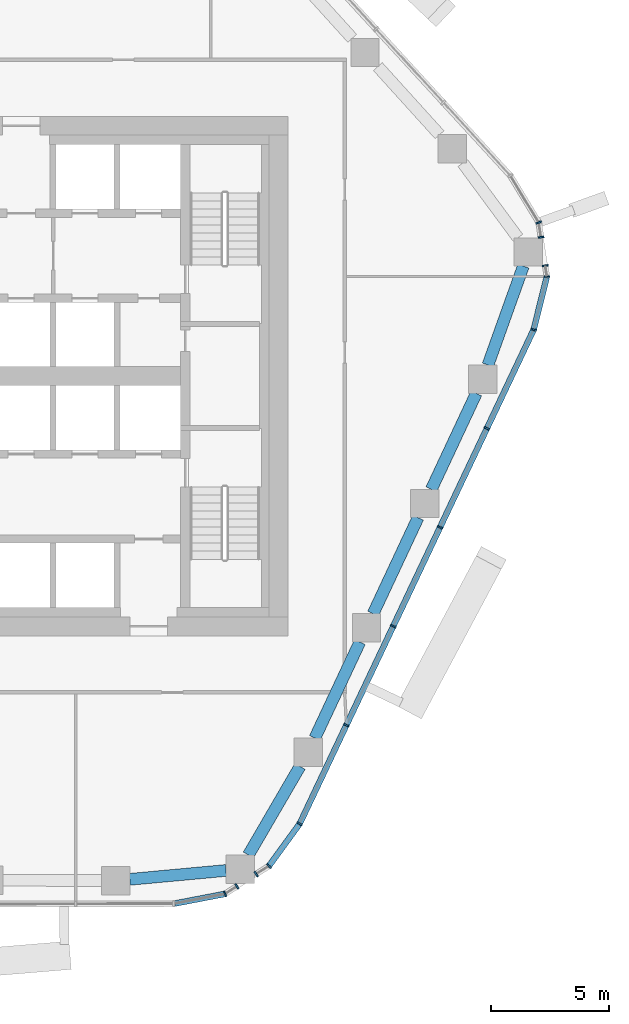
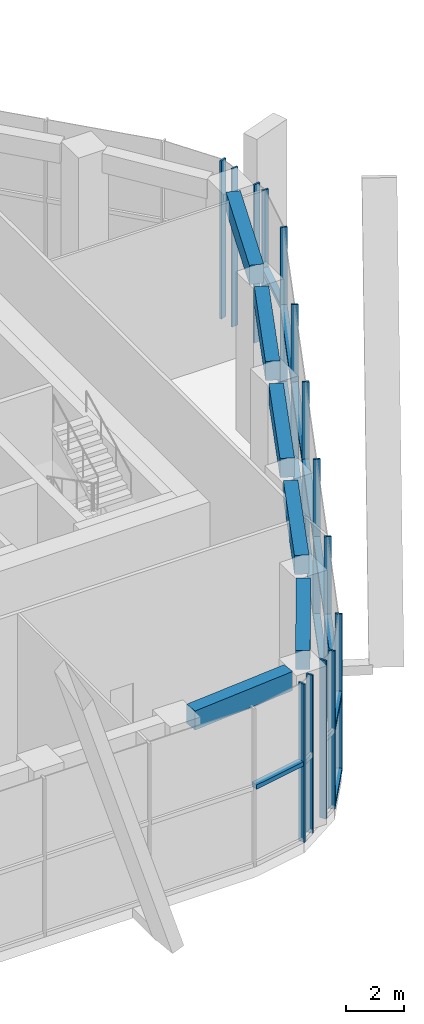
# One storey, part 3 of 20: 29 members, 6 beams, 5 elements without a shape of their own.
"""IFC4 building model written with IfcOpenShell, lengths in metres."""

from ifc_helpers import new_model, si_unit, direction, frame, origin, origin_2d, place, context, subcontext, project, spatial, rectangle, extrude, material, layer, layer_set, material_profile, profile_set, type_object, element, aggregate, save


model = new_model("IFC4")

# Units and contexts
model_context = context("Model", 3, precision=1e-05, world=origin(), true_north=direction((0.0, 1.0)))
body_context = subcontext(model_context, "Body", "Model", "MODEL_VIEW")
ifc_project = project(units=[si_unit("LENGTHUNIT", "METRE"), si_unit("AREAUNIT", "SQUARE_METRE"), si_unit("VOLUMEUNIT", "CUBIC_METRE"), si_unit("PLANEANGLEUNIT", "RADIAN"), si_unit("MASSUNIT", "GRAM", prefix="KILO")], contexts=[model_context])

# Site, building, storey
site_placement = place(None, origin())
site = spatial("IfcSite", under=ifc_project, at=site_placement, CompositionType="ELEMENT")
building_placement = place(site_placement, origin())
building = spatial("IfcBuilding", under=site, at=building_placement, Name="Dongbaek Canopy Tower", CompositionType="ELEMENT")
storey_placement = place(building_placement, frame((0.0, 0.0, 151.60009765625)))
storey = spatial("IfcBuildingStorey", under=building, at=storey_placement, Name="L33", CompositionType="ELEMENT", Elevation=151.60009765625)

# Curtain wall, members
ifc_material_1 = material(Name="Aluminium 6063-T6 pale anodised", Category="aluminium")
ifc_layer = layer(ifc_material_1, 0.25)
ifc_layer_set = layer_set([ifc_layer], Name="CW-4 sky-lobby curtain wall")
curtain_wall_type = type_object("IfcCurtainWallType", Name="CW-4 sky-lobby curtain wall", PredefinedType="NOTDEFINED", material=ifc_layer_set)
curtain_wall_1_placement = place(storey_placement, origin())
curtain_wall_1 = element("IfcCurtainWall", 1, at=curtain_wall_1_placement, inside=storey, type_object=curtain_wall_type, Name="CW-4 curtain wall K0.1a", PredefinedType="NOTDEFINED")
ifc_material_2 = material(Name="Aluminium 6063-T6 pale anodised", Category="aluminium")
ifc_material_profile_1 = material_profile(ifc_material_2, rectangle(XDim=0.25, YDim=0.070068359375, at=origin_2d()), Name="CW-4 mullion 70 x 250")
ifc_profile_set_1 = profile_set([ifc_material_profile_1], Name="Aluminium 6063-T6 pale anodised")
member_type_1 = type_object("IfcMemberType", Name="CW-4 mullion 70 x 250", PredefinedType="MULLION", material=ifc_profile_set_1)
member_1_placement = place(storey_placement, frame((24.403564453125, 1.960693359375, 0.0), z_axis=(0.0, 0.0, 1.0), x_axis=(0.970162272141, -0.242456523347, 0.0)))
member_1 = element("IfcMember", 2, at=member_1_placement, type_object=member_type_1, Name="CW-4 mullion K0.1a.1", PredefinedType="MULLION", context=body_context, shape_type="SweptSolid", body=[
    extrude(rectangle(XDim=0.25, YDim=0.070068359375, at=origin_2d()), origin(), (0.0, 0.0, 1.0), 6.619873046875),
])
member_2_placement = place(storey_placement, frame((24.966796875, 4.214599609375, 0.0), z_axis=(0.0, 0.0, 1.0), x_axis=(0.998871152672, -0.04750179323, 0.0)))
member_2 = element("IfcMember", 3, at=member_2_placement, type_object=member_type_1, Name="CW-4 mullion K0.1a.2", PredefinedType="MULLION", context=body_context, shape_type="SweptSolid", body=[
    extrude(rectangle(XDim=0.25, YDim=0.070068359375, at=origin_2d()), origin(), (0.0, 0.0, 1.0), 6.619873046875),
])
member_3_placement = place(storey_placement, frame((24.8974609375, 4.6748046875, 0.0), z_axis=(0.0, 0.0, 1.0), x_axis=(0.988792321476, 0.149297504968, 0.0)))
member_3 = element("IfcMember", 4, at=member_3_placement, type_object=member_type_1, Name="CW-4 mullion K0.1a.3", PredefinedType="MULLION", context=body_context, shape_type="SweptSolid", body=[
    extrude(rectangle(XDim=0.25, YDim=0.070068359375, at=origin_2d()), origin(), (0.0, 0.0, 1.0), 6.619873046875),
])

curtain_wall_2_placement = place(storey_placement, origin())
curtain_wall_2 = element("IfcCurtainWall", 5, at=curtain_wall_2_placement, inside=storey, type_object=curtain_wall_type, Name="CW-4 curtain wall K0.1b", PredefinedType="NOTDEFINED")
member_4_placement = place(storey_placement, frame((24.71533203125, 5.880126953125, 0.0), z_axis=(0.0, 0.0, 1.0), x_axis=(0.988792321476, 0.149297504968, 0.0)))
member_4 = element("IfcMember", 6, at=member_4_placement, type_object=member_type_1, Name="CW-4 mullion K0.1b.1", PredefinedType="MULLION", context=body_context, shape_type="SweptSolid", body=[
    extrude(rectangle(XDim=0.25, YDim=0.070068359375, at=origin_2d()), origin(), (0.0, 0.0, 1.0), 6.619873046875),
])
member_5_placement = place(storey_placement, frame((24.62158203125, 6.501953125, 0.0), z_axis=(0.0, 0.0, 1.0), x_axis=(0.940317155162, 0.340299350144, 0.0)))
member_5 = element("IfcMember", 7, at=member_5_placement, type_object=member_type_1, Name="CW-4 mullion K0.1b.2", PredefinedType="MULLION", context=body_context, shape_type="SweptSolid", body=[
    extrude(rectangle(XDim=0.25, YDim=0.070068359375, at=origin_2d()), origin(), (0.0, 0.0, 1.0), 6.619873046875),
])
aggregate(curtain_wall_2, [member_4, member_5])

curtain_wall_3_placement = place(storey_placement, origin())
curtain_wall_3 = element("IfcCurtainWall", 8, at=curtain_wall_3_placement, inside=storey, type_object=curtain_wall_type, Name="CW-4 curtain wall K5.1a", PredefinedType="NOTDEFINED")
member_6_placement = place(storey_placement, frame((11.330810546875, -21.933837890625, 0.0), z_axis=(0.0, 0.0, 1.0), x_axis=(0.368706250555, -0.929545964868, 0.0)))
member_6 = element("IfcMember", 9, at=member_6_placement, type_object=member_type_1, Name="CW-4 mullion K5.1a.2", PredefinedType="MULLION", context=body_context, shape_type="SweptSolid", body=[
    extrude(rectangle(XDim=0.25, YDim=0.070068359375, at=origin_2d()), origin(), (0.0, 0.0, 1.0), 6.619873046875),
])
member_7_placement = place(storey_placement, frame((11.832275390625, -21.615966796875, 0.0), z_axis=(0.0, 0.0, 1.0), x_axis=(0.53570552703, -0.844404872268, 0.0)))
member_7 = element("IfcMember", 10, at=member_7_placement, type_object=member_type_1, Name="CW-4 mullion K5.1a.3", PredefinedType="MULLION", context=body_context, shape_type="SweptSolid", body=[
    extrude(rectangle(XDim=0.25, YDim=0.070068359375, at=origin_2d()), origin(), (0.0, 0.0, 1.0), 6.619873046875),
])

curtain_wall_4_placement = place(storey_placement, origin())
curtain_wall_4 = element("IfcCurtainWall", 11, at=curtain_wall_4_placement, inside=storey, type_object=curtain_wall_type, Name="CW-4 curtain wall K5.1b", PredefinedType="NOTDEFINED")
member_8_placement = place(storey_placement, frame((12.655029296875, -21.093994140625, 0.0), z_axis=(0.0, 0.0, 1.0), x_axis=(0.53570552703, -0.844404872268, 0.0)))
member_8 = element("IfcMember", 12, at=member_8_placement, type_object=member_type_1, Name="CW-4 mullion K5.1b.1", PredefinedType="MULLION", context=body_context, shape_type="SweptSolid", body=[
    extrude(rectangle(XDim=0.25, YDim=0.070068359375, at=origin_2d()), origin(), (0.0, 0.0, 1.0), 6.619873046875),
])
member_9_placement = place(storey_placement, frame((13.18994140625, -20.754638671875, 0.0), z_axis=(0.0, 0.0, 1.0), x_axis=(0.683881309127, -0.729593280552, 0.0)))
member_9 = element("IfcMember", 13, at=member_9_placement, type_object=member_type_1, Name="CW-4 mullion K5.1b.2", PredefinedType="MULLION", context=body_context, shape_type="SweptSolid", body=[
    extrude(rectangle(XDim=0.25, YDim=0.070068359375, at=origin_2d()), origin(), (0.0, 0.0, 1.0), 6.619873046875),
])
member_10_placement = place(storey_placement, frame((14.492431640625, -18.968017578125, 0.0), z_axis=(0.0, 0.0, 1.0), x_axis=(0.808027031185, -0.589145412334, 0.0)))
member_10 = element("IfcMember", 14, at=member_10_placement, type_object=member_type_1, Name="CW-4 mullion K5.1b.3", PredefinedType="MULLION", context=body_context, shape_type="SweptSolid", body=[
    extrude(rectangle(XDim=0.25, YDim=0.070068359375, at=origin_2d()), origin(), (0.0, 0.0, 1.0), 6.619873046875),
])

curtain_wall_5_placement = place(storey_placement, origin())
curtain_wall_5 = element("IfcCurtainWall", 15, at=curtain_wall_5_placement, inside=storey, type_object=curtain_wall_type, Name="CW-4 curtain wall F5.1", PredefinedType="NOTDEFINED")
member_11_placement = place(storey_placement, frame((16.472412109375, -14.787109375, 0.0), z_axis=(0.0, 0.0, 1.0), x_axis=(0.903780490122, -0.42799629166, 0.0)))
member_11 = element("IfcMember", 16, at=member_11_placement, type_object=member_type_1, Name="CW-4 mullion F5.1.2", PredefinedType="MULLION", context=body_context, shape_type="SweptSolid", body=[
    extrude(rectangle(XDim=0.25, YDim=0.070068359375, at=origin_2d()), origin(), (0.0, 0.0, 1.0), 6.619873046875),
])
member_12_placement = place(storey_placement, frame((18.456298828125, -10.597900390625, 0.0), z_axis=(0.0, 0.0, 1.0), x_axis=(0.903780490122, -0.42799629166, 0.0)))
member_12 = element("IfcMember", 17, at=member_12_placement, type_object=member_type_1, Name="CW-4 mullion F5.1.3", PredefinedType="MULLION", context=body_context, shape_type="SweptSolid", body=[
    extrude(rectangle(XDim=0.25, YDim=0.070068359375, at=origin_2d()), origin(), (0.0, 0.0, 1.0), 6.619873046875),
])
member_13_placement = place(storey_placement, frame((20.440185546875, -6.40869140625, 0.0), z_axis=(0.0, 0.0, 1.0), x_axis=(0.903780490122, -0.42799629166, 0.0)))
member_13 = element("IfcMember", 18, at=member_13_placement, type_object=member_type_1, Name="CW-4 mullion F5.1.4", PredefinedType="MULLION", context=body_context, shape_type="SweptSolid", body=[
    extrude(rectangle(XDim=0.25, YDim=0.070068359375, at=origin_2d()), origin(), (0.0, 0.0, 1.0), 6.619873046875),
])
member_14_placement = place(storey_placement, frame((22.423828125, -2.219482421875, 0.0), z_axis=(0.0, 0.0, 1.0), x_axis=(0.903780490122, -0.42799629166, 0.0)))
member_14 = element("IfcMember", 19, at=member_14_placement, type_object=member_type_1, Name="CW-4 mullion F5.1.5", PredefinedType="MULLION", context=body_context, shape_type="SweptSolid", body=[
    extrude(rectangle(XDim=0.25, YDim=0.070068359375, at=origin_2d()), origin(), (0.0, 0.0, 1.0), 6.619873046875),
])

# Member
ifc_material_3 = material(Name="Aluminium 6063-T6 pale anodised", Category="aluminium")
ifc_material_profile_2 = material_profile(ifc_material_3, rectangle(XDim=0.25, YDim=0.179931640625, at=origin_2d()), Name="CW-4 transom 180 x 250")
ifc_profile_set_2 = profile_set([ifc_material_profile_2], Name="Aluminium 6063-T6 pale anodised")
member_type_2 = type_object("IfcMemberType", Name="CW-4 transom 180 x 250", PredefinedType="USERDEFINED", material=ifc_profile_set_2)
member_15_placement = place(storey_placement, frame((24.4150390625, 2.00634765625, 0.08984375), z_axis=(0.242380997041, 0.970181144052, 0.0), x_axis=(-0.970181144052, 0.242380997041, 0.0)))
member_15 = element("IfcMember", 20, at=member_15_placement, type_object=member_type_2, Name="CW-4 transom K0.1a.1.1", ObjectType="TRANSOM", PredefinedType="USERDEFINED", context=body_context, shape_type="SweptSolid", body=[
    extrude(rectangle(XDim=0.25, YDim=0.179931640625, at=origin_2d()), origin(), (0.0, 0.0, 1.0), 2.22900390625),
])

member_16_placement = place(storey_placement, frame((24.4150390625, 2.00634765625, 3.309814453125), z_axis=(0.242380997041, 0.970181144052, 0.0), x_axis=(-0.970181144052, 0.242380997041, 0.0)))
member_16 = element("IfcMember", 21, at=member_16_placement, type_object=member_type_2, Name="CW-4 transom K0.1a.1.2", ObjectType="TRANSOM", PredefinedType="USERDEFINED", context=body_context, shape_type="SweptSolid", body=[
    extrude(rectangle(XDim=0.25, YDim=0.179931640625, at=origin_2d()), origin(), (0.0, 0.0, 1.0), 2.22900390625),
])

aggregate(curtain_wall_1, [member_1, member_2, member_3, member_15, member_16])

member_17_placement = place(storey_placement, frame((9.205810546875, -22.34228515625, 3.309814453125), z_axis=(0.982038514738, 0.188680564899, 0.0), x_axis=(-0.188680564899, 0.982038514738, 0.0)))
member_17 = element("IfcMember", 22, at=member_17_placement, type_object=member_type_2, Name="CW-4 transom K5.1a.1.2", ObjectType="TRANSOM", PredefinedType="USERDEFINED", context=body_context, shape_type="SweptSolid", body=[
    extrude(rectangle(XDim=0.25, YDim=0.179931640625, at=origin_2d()), origin(), (0.0, 0.0, 1.0), 2.116943359375),
])

aggregate(curtain_wall_3, [member_6, member_7, member_17])

member_18_placement = place(storey_placement, frame((13.217529296875, -20.716552734375, 0.08984375), z_axis=(0.589151766934, 0.808022397907, 0.0), x_axis=(-0.808022397907, 0.589151766934, 0.0)))
member_18 = element("IfcMember", 23, at=member_18_placement, type_object=member_type_2, Name="CW-4 transom K5.1b.2.1", ObjectType="TRANSOM", PredefinedType="USERDEFINED", context=body_context, shape_type="SweptSolid", body=[
    extrude(rectangle(XDim=0.25, YDim=0.179931640625, at=origin_2d()), origin(), (0.0, 0.0, 1.0), 2.1171875),
])

member_19_placement = place(storey_placement, frame((13.217529296875, -20.716552734375, 3.309814453125), z_axis=(0.589151766934, 0.808022397907, 0.0), x_axis=(-0.808022397907, 0.589151766934, 0.0)))
member_19 = element("IfcMember", 24, at=member_19_placement, type_object=member_type_2, Name="CW-4 transom K5.1b.2.2", ObjectType="TRANSOM", PredefinedType="USERDEFINED", context=body_context, shape_type="SweptSolid", body=[
    extrude(rectangle(XDim=0.25, YDim=0.179931640625, at=origin_2d()), origin(), (0.0, 0.0, 1.0), 2.1171875),
])

aggregate(curtain_wall_4, [member_8, member_9, member_10, member_18, member_19])

member_20_placement = place(storey_placement, frame((14.5126953125, -18.925537109375, 0.08984375), z_axis=(0.427954343073, 0.903800354196, 0.0), x_axis=(-0.903800354196, 0.427954343073, 0.0)))
member_20 = element("IfcMember", 25, at=member_20_placement, type_object=member_type_2, Name="CW-4 transom F5.1.1.1", ObjectType="TRANSOM", PredefinedType="USERDEFINED", context=body_context, shape_type="SweptSolid", body=[
    extrude(rectangle(XDim=0.25, YDim=0.179931640625, at=origin_2d()), origin(), (0.0, 0.0, 1.0), 4.531982421875),
])

member_21_placement = place(storey_placement, frame((14.5126953125, -18.925537109375, 3.309814453125), z_axis=(0.427954343073, 0.903800354196, 0.0), x_axis=(-0.903800354196, 0.427954343073, 0.0)))
member_21 = element("IfcMember", 26, at=member_21_placement, type_object=member_type_2, Name="CW-4 transom F5.1.1.2", ObjectType="TRANSOM", PredefinedType="USERDEFINED", context=body_context, shape_type="SweptSolid", body=[
    extrude(rectangle(XDim=0.25, YDim=0.179931640625, at=origin_2d()), origin(), (0.0, 0.0, 1.0), 4.531982421875),
])

member_22_placement = place(storey_placement, frame((16.492431640625, -14.74462890625, 0.08984375), z_axis=(0.427993902214, 0.90378162167, 0.0), x_axis=(-0.90378162167, 0.427993902214, 0.0)))
member_22 = element("IfcMember", 27, at=member_22_placement, type_object=member_type_2, Name="CW-4 transom F5.1.2.1", ObjectType="TRANSOM", PredefinedType="USERDEFINED", context=body_context, shape_type="SweptSolid", body=[
    extrude(rectangle(XDim=0.25, YDim=0.179931640625, at=origin_2d()), origin(), (0.0, 0.0, 1.0), 4.541259765625),
])

member_23_placement = place(storey_placement, frame((16.492431640625, -14.74462890625, 3.309814453125), z_axis=(0.427993902214, 0.90378162167, 0.0), x_axis=(-0.90378162167, 0.427993902214, 0.0)))
member_23 = element("IfcMember", 28, at=member_23_placement, type_object=member_type_2, Name="CW-4 transom F5.1.2.2", ObjectType="TRANSOM", PredefinedType="USERDEFINED", context=body_context, shape_type="SweptSolid", body=[
    extrude(rectangle(XDim=0.25, YDim=0.179931640625, at=origin_2d()), origin(), (0.0, 0.0, 1.0), 4.541259765625),
])

member_24_placement = place(storey_placement, frame((18.476318359375, -10.555419921875, 0.08984375), z_axis=(0.427993902214, 0.90378162167, 0.0), x_axis=(-0.90378162167, 0.427993902214, 0.0)))
member_24 = element("IfcMember", 29, at=member_24_placement, type_object=member_type_2, Name="CW-4 transom F5.1.3.1", ObjectType="TRANSOM", PredefinedType="USERDEFINED", context=body_context, shape_type="SweptSolid", body=[
    extrude(rectangle(XDim=0.25, YDim=0.179931640625, at=origin_2d()), origin(), (0.0, 0.0, 1.0), 4.541259765625),
])

member_25_placement = place(storey_placement, frame((18.476318359375, -10.555419921875, 3.309814453125), z_axis=(0.427993902214, 0.90378162167, 0.0), x_axis=(-0.90378162167, 0.427993902214, 0.0)))
member_25 = element("IfcMember", 30, at=member_25_placement, type_object=member_type_2, Name="CW-4 transom F5.1.3.2", ObjectType="TRANSOM", PredefinedType="USERDEFINED", context=body_context, shape_type="SweptSolid", body=[
    extrude(rectangle(XDim=0.25, YDim=0.179931640625, at=origin_2d()), origin(), (0.0, 0.0, 1.0), 4.541259765625),
])

member_26_placement = place(storey_placement, frame((20.460205078125, -6.3662109375, 0.08984375), z_axis=(0.427993902214, 0.90378162167, 0.0), x_axis=(-0.90378162167, 0.427993902214, 0.0)))
member_26 = element("IfcMember", 31, at=member_26_placement, type_object=member_type_2, Name="CW-4 transom F5.1.4.1", ObjectType="TRANSOM", PredefinedType="USERDEFINED", context=body_context, shape_type="SweptSolid", body=[
    extrude(rectangle(XDim=0.25, YDim=0.179931640625, at=origin_2d()), origin(), (0.0, 0.0, 1.0), 4.541259765625),
])

member_27_placement = place(storey_placement, frame((20.460205078125, -6.3662109375, 3.309814453125), z_axis=(0.427993902214, 0.90378162167, 0.0), x_axis=(-0.90378162167, 0.427993902214, 0.0)))
member_27 = element("IfcMember", 32, at=member_27_placement, type_object=member_type_2, Name="CW-4 transom F5.1.4.2", ObjectType="TRANSOM", PredefinedType="USERDEFINED", context=body_context, shape_type="SweptSolid", body=[
    extrude(rectangle(XDim=0.25, YDim=0.179931640625, at=origin_2d()), origin(), (0.0, 0.0, 1.0), 4.541259765625),
])

member_28_placement = place(storey_placement, frame((22.444091796875, -2.177001953125, 0.08984375), z_axis=(0.428016861167, 0.903770748894, 0.0), x_axis=(-0.903770748894, 0.428016861167, 0.0)))
member_28 = element("IfcMember", 33, at=member_28_placement, type_object=member_type_2, Name="CW-4 transom F5.1.5.1", ObjectType="TRANSOM", PredefinedType="USERDEFINED", context=body_context, shape_type="SweptSolid", body=[
    extrude(rectangle(XDim=0.25, YDim=0.179931640625, at=origin_2d()), origin(), (0.0, 0.0, 1.0), 4.53125),
])

member_29_placement = place(storey_placement, frame((22.444091796875, -2.177001953125, 3.309814453125), z_axis=(0.428016861167, 0.903770748894, 0.0), x_axis=(-0.903770748894, 0.428016861167, 0.0)))
member_29 = element("IfcMember", 34, at=member_29_placement, type_object=member_type_2, Name="CW-4 transom F5.1.5.2", ObjectType="TRANSOM", PredefinedType="USERDEFINED", context=body_context, shape_type="SweptSolid", body=[
    extrude(rectangle(XDim=0.25, YDim=0.179931640625, at=origin_2d()), origin(), (0.0, 0.0, 1.0), 4.53125),
])

aggregate(curtain_wall_5, [member_11, member_12, member_13, member_14, member_20, member_21, member_22, member_23, member_24, member_25, member_26, member_27, member_28, member_29])

# Beams
ifc_material_4 = material(Name="Concrete C70", Category="concrete")
ifc_material_profile_3 = material_profile(ifc_material_4, rectangle(XDim=0.5, YDim=0.800048828125, at=origin_2d()), Name="RC EDGE BEAM 500x800 C70")
ifc_profile_set_3 = profile_set([ifc_material_profile_3], Name="Concrete C70")
beam_type = type_object("IfcBeamType", Name="RC EDGE BEAM 500x800 C70", PredefinedType="BEAM", material=ifc_profile_set_3)
beam_1_placement = place(storey_placement, frame((11.3720703125, -20.9404296875, 6.219970703125), z_axis=(-0.995763065099, -0.091956066598, 0.0), x_axis=(0.091956066598, -0.995763065099, 0.0)))
element("IfcBeam", 35, at=beam_1_placement, inside=storey, type_object=beam_type, Name="EDGEBEAM:L33:00", PredefinedType="BEAM", context=body_context, shape_type="SweptSolid", body=[
    extrude(rectangle(XDim=0.5, YDim=0.800048828125, at=origin_2d()), origin(), (0.0, 0.0, 1.0), 4.09130859375),
])
beam_2_placement = place(storey_placement, frame((23.965576171875, 4.656982421875, 6.219970703125), z_axis=(-0.336398951073, -0.941719568511, 0.0), x_axis=(0.941719568511, -0.336398951073, 0.0)))
element("IfcBeam", 36, at=beam_2_placement, inside=storey, type_object=beam_type, Name="EDGEBEAM:L33:21", PredefinedType="BEAM", context=body_context, shape_type="SweptSolid", body=[
    extrude(rectangle(XDim=0.5, YDim=0.800048828125, at=origin_2d()), origin(), (0.0, 0.0, 1.0), 4.4501953125),
])
beam_3_placement = place(storey_placement, frame((21.972900390625, -0.73388671875, 6.219970703125), z_axis=(-0.424114752544, -0.905608456605, 0.0), x_axis=(0.905608456605, -0.424114752544, 0.0)))
element("IfcBeam", 37, at=beam_3_placement, inside=storey, type_object=beam_type, Name="EDGEBEAM:L33:22", PredefinedType="BEAM", context=body_context, shape_type="SweptSolid", body=[
    extrude(rectangle(XDim=0.5, YDim=0.800048828125, at=origin_2d()), origin(), (0.0, 0.0, 1.0), 4.489013671875),
])
beam_4_placement = place(storey_placement, frame((19.507080078125, -5.9990234375, 6.219970703125), z_axis=(-0.424057758342, -0.905635145956, 0.0), x_axis=(0.905635145956, -0.424057758342, 0.0)))
element("IfcBeam", 38, at=beam_4_placement, inside=storey, type_object=beam_type, Name="EDGEBEAM:L33:23", PredefinedType="BEAM", context=body_context, shape_type="SweptSolid", body=[
    extrude(rectangle(XDim=0.5, YDim=0.800048828125, at=origin_2d()), origin(), (0.0, 0.0, 1.0), 4.49072265625),
])
beam_5_placement = place(storey_placement, frame((17.041015625, -11.26611328125, 6.219970703125), z_axis=(-0.424275059541, -0.905533364295, 0.0), x_axis=(0.905533364295, -0.424275059541, 0.0)))
element("IfcBeam", 39, at=beam_5_placement, inside=storey, type_object=beam_type, Name="EDGEBEAM:L33:24", PredefinedType="BEAM", context=body_context, shape_type="SweptSolid", body=[
    extrude(rectangle(XDim=0.5, YDim=0.800048828125, at=origin_2d()), origin(), (0.0, 0.0, 1.0), 4.489990234375),
])
beam_6_placement = place(storey_placement, frame((14.505859375, -16.531982421875, 6.219970703125), z_axis=(-0.503073799677, -0.864243456486, 0.0), x_axis=(0.864243456486, -0.503073799677, 0.0)))
element("IfcBeam", 40, at=beam_6_placement, inside=storey, type_object=beam_type, Name="EDGEBEAM:L33:25", PredefinedType="BEAM", context=body_context, shape_type="SweptSolid", body=[
    extrude(rectangle(XDim=0.5, YDim=0.800048828125, at=origin_2d()), origin(), (0.0, 0.0, 1.0), 4.342529296875),
])

save(model, "model.ifc")
